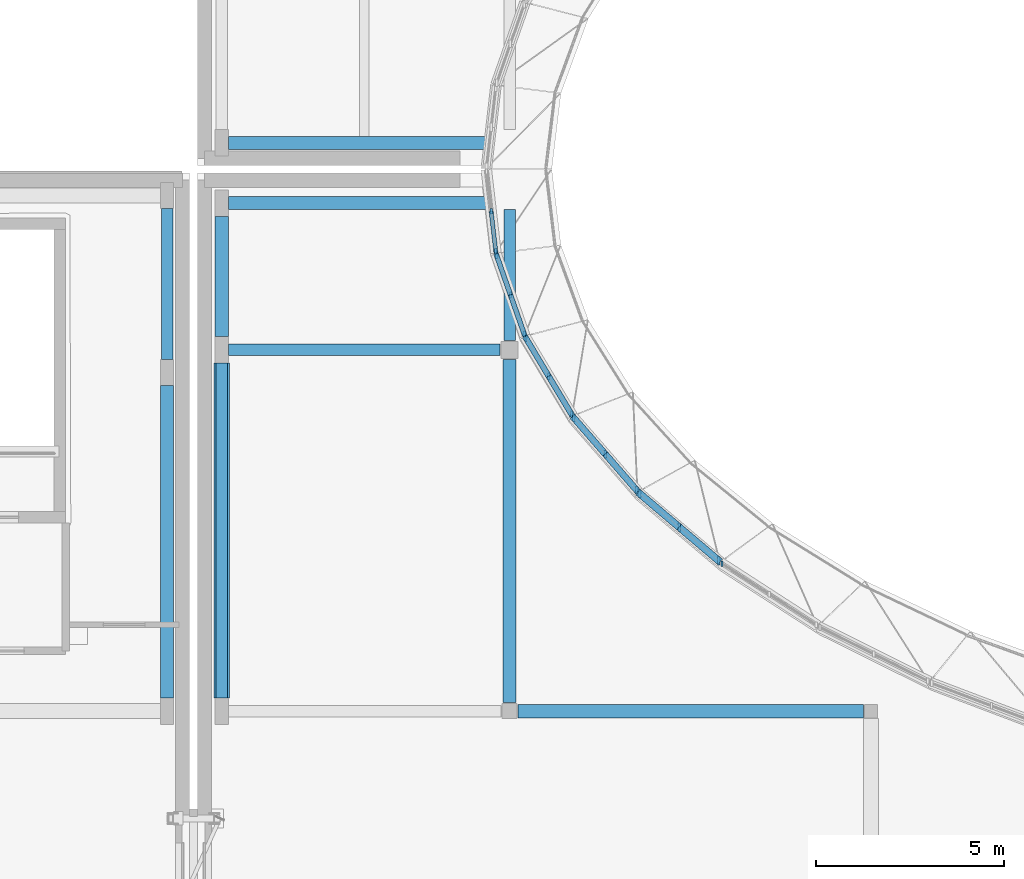
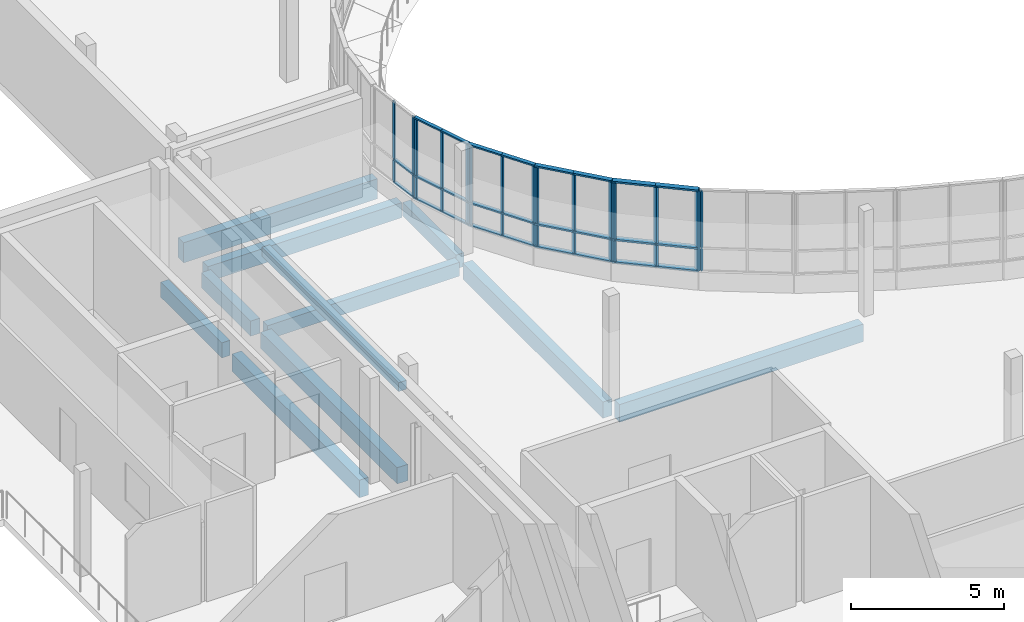
# One storey, part 11 of 73: 41 members, 11 beams, 6 elements without a shape of their own.
"""IFC4 building model written with IfcOpenShell, lengths in metres."""

from ifc_helpers import new_model, si_unit, direction, frame, origin, origin_2d, place, context, subcontext, project, spatial, rectangle, extrude, material, material_profile, profile_set, type_object, element, aggregate, save


model = new_model("IFC4")

# Units and contexts
model_context = context("Model", 3, precision=1e-05, world=origin(), true_north=direction((0.0, 1.0)))
body_context = subcontext(model_context, "Body", "Model", "MODEL_VIEW")
ifc_project = project(units=[si_unit("LENGTHUNIT", "METRE"), si_unit("AREAUNIT", "SQUARE_METRE"), si_unit("VOLUMEUNIT", "CUBIC_METRE"), si_unit("PLANEANGLEUNIT", "RADIAN"), si_unit("MASSUNIT", "GRAM", prefix="KILO")], contexts=[model_context])

# Site, building, storey
site_placement = place(None, origin())
site = spatial("IfcSite", under=ifc_project, at=site_placement, CompositionType="ELEMENT")
building_placement = place(site_placement, origin())
building = spatial("IfcBuilding", under=site, at=building_placement, Name="Mzevani Central Library", CompositionType="ELEMENT")
storey_placement = place(building_placement, frame((0.0, 0.0, 9.60009765625)))
storey = spatial("IfcBuildingStorey", under=building, at=storey_placement, Name="L02", CompositionType="ELEMENT", Elevation=9.60009765625)

# Beams
ifc_material_1 = material(Name="Concrete C35/45", Category="concrete")
ifc_material_profile_1 = material_profile(ifc_material_1, rectangle(XDim=0.300048828125, YDim=0.550048828125, at=origin_2d()), Name="RC B300x550")
ifc_profile_set_1 = profile_set([ifc_material_profile_1], Name="Concrete C35/45")
beam_type_1 = type_object("IfcBeamType", Name="Beam RC 300x550", PredefinedType="BEAM", material=ifc_profile_set_1)
beam_1_placement = place(storey_placement, frame((46.925048828125, 71.199951171875, -0.53515625), z_axis=(1.0, 0.0, 0.0), x_axis=(0.0, 1.0, 0.0)))
element("IfcBeam", 1, at=beam_1_placement, inside=storey, type_object=beam_type_1, Name="L02 V1 Girder B-02 (105)", PredefinedType="BEAM", context=body_context, shape_type="SweptSolid", body=[
    extrude(rectangle(XDim=0.300048828125, YDim=0.550048828125, at=origin_2d()), origin(), (0.0, 0.0, 1.0), 7.224853515625),
])
beam_2_placement = place(storey_placement, frame((54.39990234375, 71.449951171875, -0.53515625), z_axis=(0.0, 1.0, 0.0), x_axis=(-1.0, 0.0, 0.0)))
element("IfcBeam", 2, at=beam_2_placement, inside=storey, type_object=beam_type_1, Name="L02 V1 Frame Beam B-02 (117)", PredefinedType="BEAM", context=body_context, shape_type="SweptSolid", body=[
    extrude(rectangle(XDim=0.300048828125, YDim=0.550048828125, at=origin_2d()), origin(), (0.0, 0.0, 1.0), 3.47509765625),
])
ifc_material_profile_2 = material_profile(ifc_material_1, rectangle(XDim=0.300048828125, YDim=0.60009765625, at=origin_2d()), Name="RC B300x600")
ifc_profile_set_2 = profile_set([ifc_material_profile_2], Name="Concrete C35/45")
beam_type_2 = type_object("IfcBeamType", Name="Beam RC 300x600", PredefinedType="BEAM", material=ifc_profile_set_2)
beam_3_placement = place(storey_placement, frame((45.300048828125, 70.949951171875, -0.56005859375), z_axis=(0.0, 1.0, 0.0), x_axis=(-1.0, 0.0, 0.0)))
element("IfcBeam", 3, at=beam_3_placement, inside=storey, type_object=beam_type_2, Name="L02 V5 Frame Beam B-03 (1014)", PredefinedType="BEAM", context=body_context, shape_type="SweptSolid", body=[
    extrude(rectangle(XDim=0.300048828125, YDim=0.60009765625, at=origin_2d()), origin(), (0.0, 0.0, 1.0), 4.0),
])
ifc_material_profile_3 = material_profile(ifc_material_1, rectangle(XDim=0.35009765625, YDim=0.60009765625, at=origin_2d()), Name="RC B350x600")
ifc_profile_set_3 = profile_set([ifc_material_profile_3], Name="Concrete C35/45")
beam_type_3 = type_object("IfcBeamType", Name="Beam RC 350x600", PredefinedType="BEAM", material=ifc_profile_set_3)
beam_4_placement = place(storey_placement, frame((46.925048828125, 75.10009765625, -0.56005859375), z_axis=(1.0, 0.0, 0.0), x_axis=(0.0, 1.0, 0.0)))
element("IfcBeam", 4, at=beam_4_placement, inside=storey, type_object=beam_type_3, Name="L02 V1 Girder B-04 (107)", PredefinedType="BEAM", context=body_context, shape_type="SweptSolid", body=[
    extrude(rectangle(XDim=0.35009765625, YDim=0.60009765625, at=origin_2d()), origin(), (0.0, 0.0, 1.0), 7.300048828125),
])
beam_5_placement = place(storey_placement, frame((46.75, 71.550048828125, -0.56005859375), z_axis=(0.0, 1.0, 0.0), x_axis=(-1.0, 0.0, 0.0)))
element("IfcBeam", 5, at=beam_5_placement, inside=storey, type_object=beam_type_3, Name="L02 V1 Frame Beam B-04 (115)", PredefinedType="BEAM", context=body_context, shape_type="SweptSolid", body=[
    extrude(rectangle(XDim=0.35009765625, YDim=0.60009765625, at=origin_2d()), origin(), (0.0, 0.0, 1.0), 3.199951171875),
])
ifc_material_profile_4 = material_profile(ifc_material_1, rectangle(XDim=0.35009765625, YDim=0.64990234375, at=origin_2d()), Name="RC B350x650")
ifc_profile_set_4 = profile_set([ifc_material_profile_4], Name="Concrete C35/45")
beam_type_4 = type_object("IfcBeamType", Name="Beam RC 350x650", PredefinedType="BEAM", material=ifc_profile_set_4)
beam_6_placement = place(storey_placement, frame((54.39990234375, 61.824951171875, -0.585205078125), z_axis=(0.0, 1.0, 0.0), x_axis=(-1.0, 0.0, 0.0)))
element("IfcBeam", 6, at=beam_6_placement, inside=storey, type_object=beam_type_4, Name="L02 V1 Frame Beam B-05 (116)", PredefinedType="BEAM", context=body_context, shape_type="SweptSolid", body=[
    extrude(rectangle(XDim=0.35009765625, YDim=0.64990234375, at=origin_2d()), origin(), (0.0, 0.0, 1.0), 9.125),
])
ifc_material_profile_5 = material_profile(ifc_material_1, rectangle(XDim=0.35009765625, YDim=0.699951171875, at=origin_2d()), Name="RC B350x700")
ifc_profile_set_5 = profile_set([ifc_material_profile_5], Name="Concrete C35/45")
beam_type_5 = type_object("IfcBeamType", Name="Beam RC 350x700", PredefinedType="BEAM", material=ifc_profile_set_5)
beam_7_placement = place(storey_placement, frame((54.625, 61.60009765625, -0.610107421875), z_axis=(1.0, 0.0, 0.0), x_axis=(0.0, 1.0, 0.0)))
element("IfcBeam", 7, at=beam_7_placement, inside=storey, type_object=beam_type_5, Name="L02 V1 Girder B-06 (101)", PredefinedType="BEAM", context=body_context, shape_type="SweptSolid", body=[
    extrude(rectangle(XDim=0.35009765625, YDim=0.699951171875, at=origin_2d()), origin(), (0.0, 0.0, 1.0), 9.175048828125),
])
beam_8_placement = place(storey_placement, frame((45.300048828125, 61.949951171875, -0.610107421875), z_axis=(0.0, 1.0, 0.0), x_axis=(-1.0, 0.0, 0.0)))
element("IfcBeam", 8, at=beam_8_placement, inside=storey, type_object=beam_type_5, Name="L02 V5 Frame Beam B-06 (1013)", PredefinedType="BEAM", context=body_context, shape_type="SweptSolid", body=[
    extrude(rectangle(XDim=0.35009765625, YDim=0.699951171875, at=origin_2d()), origin(), (0.0, 0.0, 1.0), 8.300048828125),
])
ifc_material_profile_6 = material_profile(ifc_material_1, rectangle(XDim=0.39990234375, YDim=0.64990234375, at=origin_2d()), Name="RC B400x650")
ifc_profile_set_6 = profile_set([ifc_material_profile_6], Name="Concrete C35/45")
beam_type_6 = type_object("IfcBeamType", Name="Beam RC 400x650", PredefinedType="BEAM", material=ifc_profile_set_6)
beam_9_placement = place(storey_placement, frame((46.75, 61.949951171875, -0.585205078125), z_axis=(0.0, 1.0, 0.0), x_axis=(-1.0, 0.0, 0.0)))
element("IfcBeam", 9, at=beam_9_placement, inside=storey, type_object=beam_type_6, Name="L02 V1 Frame Beam B-07 (114)", PredefinedType="BEAM", context=body_context, shape_type="SweptSolid", body=[
    extrude(rectangle(XDim=0.39990234375, YDim=0.64990234375, at=origin_2d()), origin(), (0.0, 0.0, 1.0), 8.900146484375),
])

# Curtain wall, members
ifc_material_2 = material(Name="Thermally broken aluminium and Low-E triple glazing", Category="aluminium")
curtain_wall_type_1 = type_object("IfcCurtainWallType", Name="Reading Hall Northlight Curtain Wall", PredefinedType="NOTDEFINED", material=ifc_material_2)
curtain_wall_1_placement = place(storey_placement, origin())
curtain_wall_1 = element("IfcCurtainWall", 10, at=curtain_wall_1_placement, inside=storey, type_object=curtain_wall_type_1, Name="L02 Elliptical Court Curtain Wall 25", PredefinedType="NOTDEFINED")
ifc_material_3 = material(Name="Thermally broken aluminium AW-6060", Category="aluminium")
ifc_material_profile_7 = material_profile(ifc_material_3, rectangle(XDim=0.06005859375, YDim=0.139892578125, at=origin_2d()), Name="ALU M60x140")
ifc_profile_set_7 = profile_set([ifc_material_profile_7], Name="Thermally broken aluminium AW-6060")
member_type_1 = type_object("IfcMemberType", Name="CW Mullion 60x140", PredefinedType="MULLION", material=ifc_profile_set_7)
member_1_placement = place(storey_placement, frame((53.908447265625, 74.881591796875, 0.719970703125), z_axis=(0.0, 0.0, 1.0), x_axis=(1.0, 0.0, 0.0)))
member_1 = element("IfcMember", 11, at=member_1_placement, type_object=member_type_1, Name="L02 Elliptical Court Curtain Wall 25 Mullion 2", PredefinedType="MULLION", context=body_context, shape_type="SweptSolid", body=[
    extrude(rectangle(XDim=0.06005859375, YDim=0.139892578125, at=origin_2d()), origin(), (0.0, 0.0, 1.0), 3.199951171875),
])
member_2_placement = place(storey_placement, frame((54.031005859375, 73.821044921875, 0.719970703125), z_axis=(0.0, 0.0, 1.0), x_axis=(1.0, 0.0, 0.0)))
member_2 = element("IfcMember", 12, at=member_2_placement, type_object=member_type_1, Name="L02 Elliptical Court Curtain Wall 25 Mullion 3", PredefinedType="MULLION", context=body_context, shape_type="SweptSolid", body=[
    extrude(rectangle(XDim=0.06005859375, YDim=0.139892578125, at=origin_2d()), origin(), (0.0, 0.0, 1.0), 3.199951171875),
])

# Curtain wall, member
curtain_wall_type_2 = type_object("IfcCurtainWallType", Name="Elliptical Court Unitised Curtain Wall", PredefinedType="NOTDEFINED", material=ifc_material_2)
curtain_wall_2_placement = place(storey_placement, origin())
curtain_wall_2 = element("IfcCurtainWall", 13, at=curtain_wall_2_placement, inside=storey, type_object=curtain_wall_type_2, Name="L02 Elliptical Court Curtain Wall 30", PredefinedType="NOTDEFINED")
member_3_placement = place(storey_placement, frame((60.04443359375, 65.5185546875, 0.719970703125), z_axis=(0.0, 0.0, 1.0), x_axis=(1.0, 0.0, 0.0)))
member_3 = element("IfcMember", 14, at=member_3_placement, type_object=member_type_1, Name="L02 Elliptical Court Curtain Wall 30 Mullion 1", PredefinedType="MULLION", context=body_context, shape_type="SweptSolid", body=[
    extrude(rectangle(XDim=0.06005859375, YDim=0.139892578125, at=origin_2d()), origin(), (0.0, 0.0, 1.0), 3.199951171875),
])
aggregate(curtain_wall_2, [member_3])

# Curtain wall, members
curtain_wall_3_placement = place(storey_placement, origin())
curtain_wall_3 = element("IfcCurtainWall", 15, at=curtain_wall_3_placement, inside=storey, type_object=curtain_wall_type_2, Name="L02 Elliptical Court Curtain Wall 26", PredefinedType="NOTDEFINED")
ifc_material_profile_8 = material_profile(ifc_material_3, rectangle(XDim=0.06005859375, YDim=0.159912109375, at=origin_2d()), Name="ALU M60x160")
ifc_profile_set_8 = profile_set([ifc_material_profile_8], Name="Thermally broken aluminium AW-6060")
member_type_2 = type_object("IfcMemberType", Name="CW Mullion 60x160", PredefinedType="MULLION", material=ifc_profile_set_8)
member_4_placement = place(storey_placement, frame((54.054443359375, 73.70751953125, 0.719970703125), z_axis=(0.0, 0.0, 1.0), x_axis=(1.0, 0.0, 0.0)))
member_4 = element("IfcMember", 16, at=member_4_placement, type_object=member_type_2, Name="L02 Elliptical Court Curtain Wall 26 Mullion 1", PredefinedType="MULLION", context=body_context, shape_type="SweptSolid", body=[
    extrude(rectangle(XDim=0.06005859375, YDim=0.159912109375, at=origin_2d()), origin(), (0.0, 0.0, 1.0), 3.199951171875),
])
member_5_placement = place(storey_placement, frame((54.4208984375, 72.66357421875, 0.719970703125), z_axis=(0.0, 0.0, 1.0), x_axis=(1.0, 0.0, 0.0)))
member_5 = element("IfcMember", 17, at=member_5_placement, type_object=member_type_2, Name="L02 Elliptical Court Curtain Wall 26 Mullion 2", PredefinedType="MULLION", context=body_context, shape_type="SweptSolid", body=[
    extrude(rectangle(XDim=0.06005859375, YDim=0.159912109375, at=origin_2d()), origin(), (0.0, 0.0, 1.0), 3.199951171875),
])
member_6_placement = place(storey_placement, frame((54.787109375, 71.619384765625, 0.719970703125), z_axis=(0.0, 0.0, 1.0), x_axis=(1.0, 0.0, 0.0)))
member_6 = element("IfcMember", 18, at=member_6_placement, type_object=member_type_2, Name="L02 Elliptical Court Curtain Wall 26 Mullion 3", PredefinedType="MULLION", context=body_context, shape_type="SweptSolid", body=[
    extrude(rectangle(XDim=0.06005859375, YDim=0.159912109375, at=origin_2d()), origin(), (0.0, 0.0, 1.0), 3.199951171875),
])

curtain_wall_4_placement = place(storey_placement, origin())
curtain_wall_4 = element("IfcCurtainWall", 19, at=curtain_wall_4_placement, inside=storey, type_object=curtain_wall_type_2, Name="L02 Elliptical Court Curtain Wall 27", PredefinedType="NOTDEFINED")
ifc_material_profile_9 = material_profile(ifc_material_3, rectangle(XDim=0.06005859375, YDim=0.179931640625, at=origin_2d()), Name="ALU M60x180")
ifc_profile_set_9 = profile_set([ifc_material_profile_9], Name="Thermally broken aluminium AW-6060")
member_type_3 = type_object("IfcMemberType", Name="CW Mullion 60x180", PredefinedType="MULLION", material=ifc_profile_set_9)
member_7_placement = place(storey_placement, frame((54.831787109375, 71.512451171875, 0.719970703125), z_axis=(0.0, 0.0, 1.0), x_axis=(1.0, 0.0, 0.0)))
member_7 = element("IfcMember", 20, at=member_7_placement, type_object=member_type_3, Name="L02 Elliptical Court Curtain Wall 27 Mullion 1", PredefinedType="MULLION", context=body_context, shape_type="SweptSolid", body=[
    extrude(rectangle(XDim=0.06005859375, YDim=0.179931640625, at=origin_2d()), origin(), (0.0, 0.0, 1.0), 3.199951171875),
])
member_8_placement = place(storey_placement, frame((55.43701171875, 70.501708984375, 0.719970703125), z_axis=(0.0, 0.0, 1.0), x_axis=(1.0, 0.0, 0.0)))
member_8 = element("IfcMember", 21, at=member_8_placement, type_object=member_type_3, Name="L02 Elliptical Court Curtain Wall 27 Mullion 2", PredefinedType="MULLION", context=body_context, shape_type="SweptSolid", body=[
    extrude(rectangle(XDim=0.06005859375, YDim=0.179931640625, at=origin_2d()), origin(), (0.0, 0.0, 1.0), 3.199951171875),
])
member_9_placement = place(storey_placement, frame((56.0419921875, 69.490966796875, 0.719970703125), z_axis=(0.0, 0.0, 1.0), x_axis=(1.0, 0.0, 0.0)))
member_9 = element("IfcMember", 22, at=member_9_placement, type_object=member_type_3, Name="L02 Elliptical Court Curtain Wall 27 Mullion 3", PredefinedType="MULLION", context=body_context, shape_type="SweptSolid", body=[
    extrude(rectangle(XDim=0.06005859375, YDim=0.179931640625, at=origin_2d()), origin(), (0.0, 0.0, 1.0), 3.199951171875),
])

curtain_wall_5_placement = place(storey_placement, origin())
curtain_wall_5 = element("IfcCurtainWall", 23, at=curtain_wall_5_placement, inside=storey, type_object=curtain_wall_type_1, Name="L02 Elliptical Court Curtain Wall 28", PredefinedType="NOTDEFINED")
ifc_material_profile_10 = material_profile(ifc_material_3, rectangle(XDim=0.06494140625, YDim=0.199951171875, at=origin_2d()), Name="ALU M65x200")
ifc_profile_set_10 = profile_set([ifc_material_profile_10], Name="Thermally broken aluminium AW-6060")
member_type_4 = type_object("IfcMemberType", Name="CW Mullion 65x200", PredefinedType="MULLION", material=ifc_profile_set_10)
member_10_placement = place(storey_placement, frame((56.1044921875, 69.392578125, 0.719970703125), z_axis=(0.0, 0.0, 1.0), x_axis=(1.0, 0.0, 0.0)))
member_10 = element("IfcMember", 24, at=member_10_placement, type_object=member_type_4, Name="L02 Elliptical Court Curtain Wall 28 Mullion 1", PredefinedType="MULLION", context=body_context, shape_type="SweptSolid", body=[
    extrude(rectangle(XDim=0.06494140625, YDim=0.199951171875, at=origin_2d()), origin(), (0.0, 0.0, 1.0), 3.199951171875),
])
member_11_placement = place(storey_placement, frame((56.939453125, 68.4326171875, 0.719970703125), z_axis=(0.0, 0.0, 1.0), x_axis=(1.0, 0.0, 0.0)))
member_11 = element("IfcMember", 25, at=member_11_placement, type_object=member_type_4, Name="L02 Elliptical Court Curtain Wall 28 Mullion 2", PredefinedType="MULLION", context=body_context, shape_type="SweptSolid", body=[
    extrude(rectangle(XDim=0.06494140625, YDim=0.199951171875, at=origin_2d()), origin(), (0.0, 0.0, 1.0), 3.199951171875),
])
member_12_placement = place(storey_placement, frame((57.774658203125, 67.472412109375, 0.719970703125), z_axis=(0.0, 0.0, 1.0), x_axis=(1.0, 0.0, 0.0)))
member_12 = element("IfcMember", 26, at=member_12_placement, type_object=member_type_4, Name="L02 Elliptical Court Curtain Wall 28 Mullion 3", PredefinedType="MULLION", context=body_context, shape_type="SweptSolid", body=[
    extrude(rectangle(XDim=0.06494140625, YDim=0.199951171875, at=origin_2d()), origin(), (0.0, 0.0, 1.0), 3.199951171875),
])

curtain_wall_6_placement = place(storey_placement, origin())
curtain_wall_6 = element("IfcCurtainWall", 27, at=curtain_wall_6_placement, inside=storey, type_object=curtain_wall_type_2, Name="L02 Elliptical Court Curtain Wall 29", PredefinedType="NOTDEFINED")
ifc_material_profile_11 = material_profile(ifc_material_3, rectangle(XDim=0.070068359375, YDim=0.219970703125, at=origin_2d()), Name="ALU M70x220")
ifc_profile_set_11 = profile_set([ifc_material_profile_11], Name="Thermally broken aluminium AW-6060")
member_type_5 = type_object("IfcMemberType", Name="CW Mullion 70x220", PredefinedType="MULLION", material=ifc_profile_set_11)
member_13_placement = place(storey_placement, frame((57.8515625, 67.383544921875, 0.719970703125), z_axis=(0.0, 0.0, 1.0), x_axis=(1.0, 0.0, 0.0)))
member_13 = element("IfcMember", 28, at=member_13_placement, type_object=member_type_5, Name="L02 Elliptical Court Curtain Wall 29 Mullion 1", PredefinedType="MULLION", context=body_context, shape_type="SweptSolid", body=[
    extrude(rectangle(XDim=0.070068359375, YDim=0.219970703125, at=origin_2d()), origin(), (0.0, 0.0, 1.0), 3.199951171875),
])
member_14_placement = place(storey_placement, frame((58.903564453125, 66.49072265625, 0.719970703125), z_axis=(0.0, 0.0, 1.0), x_axis=(1.0, 0.0, 0.0)))
member_14 = element("IfcMember", 29, at=member_14_placement, type_object=member_type_5, Name="L02 Elliptical Court Curtain Wall 29 Mullion 2", PredefinedType="MULLION", context=body_context, shape_type="SweptSolid", body=[
    extrude(rectangle(XDim=0.070068359375, YDim=0.219970703125, at=origin_2d()), origin(), (0.0, 0.0, 1.0), 3.199951171875),
])
member_15_placement = place(storey_placement, frame((59.95556640625, 65.597900390625, 0.719970703125), z_axis=(0.0, 0.0, 1.0), x_axis=(1.0, 0.0, 0.0)))
member_15 = element("IfcMember", 30, at=member_15_placement, type_object=member_type_5, Name="L02 Elliptical Court Curtain Wall 29 Mullion 3", PredefinedType="MULLION", context=body_context, shape_type="SweptSolid", body=[
    extrude(rectangle(XDim=0.070068359375, YDim=0.219970703125, at=origin_2d()), origin(), (0.0, 0.0, 1.0), 3.199951171875),
])

# Member
ifc_material_profile_12 = material_profile(ifc_material_3, rectangle(XDim=0.110107421875, YDim=0.06005859375, at=origin_2d()), Name="ALU T60x110")
ifc_profile_set_12 = profile_set([ifc_material_profile_12], Name="Thermally broken aluminium AW-6060")
member_type_6 = type_object("IfcMemberType", Name="CW Transom 60x110", PredefinedType="USERDEFINED", material=ifc_profile_set_12)
member_16_placement = place(storey_placement, frame((53.908447265625, 74.881591796875, 0.719970703125), z_axis=(0.114889397614, -0.993378289634, 0.0), x_axis=(0.993378289634, 0.114889397614, 0.0)))
member_16 = element("IfcMember", 31, at=member_16_placement, type_object=member_type_6, Name="L02 Elliptical Court Curtain Wall 25 Transom 4", ObjectType="TRANSOM", PredefinedType="USERDEFINED", context=body_context, shape_type="SweptSolid", body=[
    extrude(rectangle(XDim=0.110107421875, YDim=0.06005859375, at=origin_2d()), origin(), (0.0, 0.0, 1.0), 1.11767578125),
])

member_17_placement = place(storey_placement, frame((53.908447265625, 74.881591796875, 1.619873046875), z_axis=(0.114889397614, -0.993378289634, 0.0), x_axis=(0.993378289634, 0.114889397614, 0.0)))
member_17 = element("IfcMember", 32, at=member_17_placement, type_object=member_type_6, Name="L02 Elliptical Court Curtain Wall 25 Transom 5", ObjectType="TRANSOM", PredefinedType="USERDEFINED", context=body_context, shape_type="SweptSolid", body=[
    extrude(rectangle(XDim=0.110107421875, YDim=0.06005859375, at=origin_2d()), origin(), (0.0, 0.0, 1.0), 1.11767578125),
])

aggregate(curtain_wall_1, [member_1, member_2, member_16, member_17])

ifc_material_profile_13 = material_profile(ifc_material_3, rectangle(XDim=0.1298828125, YDim=0.06005859375, at=origin_2d()), Name="ALU T60x130")
ifc_profile_set_13 = profile_set([ifc_material_profile_13], Name="Thermally broken aluminium AW-6060")
member_type_7 = type_object("IfcMemberType", Name="CW Transom 60x130", PredefinedType="USERDEFINED", material=ifc_profile_set_13)
member_18_placement = place(storey_placement, frame((54.0380859375, 73.7548828125, 0.719970703125), z_axis=(0.331008570157, -0.943627747834, 0.0), x_axis=(0.943627747834, 0.331008570157, 0.0)))
member_18 = element("IfcMember", 33, at=member_18_placement, type_object=member_type_7, Name="L02 Elliptical Court Curtain Wall 26 Transom 1", ObjectType="TRANSOM", PredefinedType="USERDEFINED", context=body_context, shape_type="SweptSolid", body=[
    extrude(rectangle(XDim=0.1298828125, YDim=0.06005859375, at=origin_2d()), origin(), (0.0, 0.0, 1.0), 1.156494140625),
])

member_19_placement = place(storey_placement, frame((54.0380859375, 73.7548828125, 1.619873046875), z_axis=(0.331008570157, -0.943627747834, 0.0), x_axis=(0.943627747834, 0.331008570157, 0.0)))
member_19 = element("IfcMember", 34, at=member_19_placement, type_object=member_type_7, Name="L02 Elliptical Court Curtain Wall 26 Transom 2", ObjectType="TRANSOM", PredefinedType="USERDEFINED", context=body_context, shape_type="SweptSolid", body=[
    extrude(rectangle(XDim=0.1298828125, YDim=0.06005859375, at=origin_2d()), origin(), (0.0, 0.0, 1.0), 1.156494140625),
])

member_20_placement = place(storey_placement, frame((54.0380859375, 73.7548828125, 3.919921875), z_axis=(0.331008570157, -0.943627747834, 0.0), x_axis=(0.943627747834, 0.331008570157, 0.0)))
member_20 = element("IfcMember", 35, at=member_20_placement, type_object=member_type_7, Name="L02 Elliptical Court Curtain Wall 26 Transom 3", ObjectType="TRANSOM", PredefinedType="USERDEFINED", context=body_context, shape_type="SweptSolid", body=[
    extrude(rectangle(XDim=0.1298828125, YDim=0.06005859375, at=origin_2d()), origin(), (0.0, 0.0, 1.0), 1.156494140625),
])

member_21_placement = place(storey_placement, frame((54.4208984375, 72.66357421875, 0.719970703125), z_axis=(0.331008570157, -0.943627747834, 0.0), x_axis=(0.943627747834, 0.331008570157, 0.0)))
member_21 = element("IfcMember", 36, at=member_21_placement, type_object=member_type_7, Name="L02 Elliptical Court Curtain Wall 26 Transom 4", ObjectType="TRANSOM", PredefinedType="USERDEFINED", context=body_context, shape_type="SweptSolid", body=[
    extrude(rectangle(XDim=0.1298828125, YDim=0.06005859375, at=origin_2d()), origin(), (0.0, 0.0, 1.0), 1.156494140625),
])

member_22_placement = place(storey_placement, frame((54.4208984375, 72.66357421875, 1.619873046875), z_axis=(0.331008570157, -0.943627747834, 0.0), x_axis=(0.943627747834, 0.331008570157, 0.0)))
member_22 = element("IfcMember", 37, at=member_22_placement, type_object=member_type_7, Name="L02 Elliptical Court Curtain Wall 26 Transom 5", ObjectType="TRANSOM", PredefinedType="USERDEFINED", context=body_context, shape_type="SweptSolid", body=[
    extrude(rectangle(XDim=0.1298828125, YDim=0.06005859375, at=origin_2d()), origin(), (0.0, 0.0, 1.0), 1.156494140625),
])

member_23_placement = place(storey_placement, frame((54.4208984375, 72.66357421875, 3.919921875), z_axis=(0.331008570157, -0.943627747834, 0.0), x_axis=(0.943627747834, 0.331008570157, 0.0)))
member_23 = element("IfcMember", 38, at=member_23_placement, type_object=member_type_7, Name="L02 Elliptical Court Curtain Wall 26 Transom 6", ObjectType="TRANSOM", PredefinedType="USERDEFINED", context=body_context, shape_type="SweptSolid", body=[
    extrude(rectangle(XDim=0.1298828125, YDim=0.06005859375, at=origin_2d()), origin(), (0.0, 0.0, 1.0), 1.156494140625),
])

aggregate(curtain_wall_3, [member_4, member_5, member_6, member_18, member_19, member_20, member_21, member_22, member_23])

ifc_material_profile_14 = material_profile(ifc_material_3, rectangle(XDim=0.14990234375, YDim=0.06005859375, at=origin_2d()), Name="ALU T60x150")
ifc_profile_set_14 = profile_set([ifc_material_profile_14], Name="Thermally broken aluminium AW-6060")
member_type_8 = type_object("IfcMemberType", Name="CW Transom 60x150", PredefinedType="USERDEFINED", material=ifc_profile_set_14)
member_24_placement = place(storey_placement, frame((54.80615234375, 71.555419921875, 0.719970703125), z_axis=(0.513676968205, -0.857983666707, 0.0), x_axis=(0.857983666707, 0.513676968205, 0.0)))
member_24 = element("IfcMember", 39, at=member_24_placement, type_object=member_type_8, Name="L02 Elliptical Court Curtain Wall 27 Transom 1", ObjectType="TRANSOM", PredefinedType="USERDEFINED", context=body_context, shape_type="SweptSolid", body=[
    extrude(rectangle(XDim=0.14990234375, YDim=0.06005859375, at=origin_2d()), origin(), (0.0, 0.0, 1.0), 1.22802734375),
])

member_25_placement = place(storey_placement, frame((54.80615234375, 71.555419921875, 1.619873046875), z_axis=(0.513676968205, -0.857983666707, 0.0), x_axis=(0.857983666707, 0.513676968205, 0.0)))
member_25 = element("IfcMember", 40, at=member_25_placement, type_object=member_type_8, Name="L02 Elliptical Court Curtain Wall 27 Transom 2", ObjectType="TRANSOM", PredefinedType="USERDEFINED", context=body_context, shape_type="SweptSolid", body=[
    extrude(rectangle(XDim=0.14990234375, YDim=0.06005859375, at=origin_2d()), origin(), (0.0, 0.0, 1.0), 1.22802734375),
])

member_26_placement = place(storey_placement, frame((54.80615234375, 71.555419921875, 3.919921875), z_axis=(0.513676968205, -0.857983666707, 0.0), x_axis=(0.857983666707, 0.513676968205, 0.0)))
member_26 = element("IfcMember", 41, at=member_26_placement, type_object=member_type_8, Name="L02 Elliptical Court Curtain Wall 27 Transom 3", ObjectType="TRANSOM", PredefinedType="USERDEFINED", context=body_context, shape_type="SweptSolid", body=[
    extrude(rectangle(XDim=0.14990234375, YDim=0.06005859375, at=origin_2d()), origin(), (0.0, 0.0, 1.0), 1.22802734375),
])

member_27_placement = place(storey_placement, frame((55.43701171875, 70.501708984375, 0.719970703125), z_axis=(0.513530608291, -0.858071275797, 0.0), x_axis=(0.858071275797, 0.513530608291, 0.0)))
member_27 = element("IfcMember", 42, at=member_27_placement, type_object=member_type_8, Name="L02 Elliptical Court Curtain Wall 27 Transom 4", ObjectType="TRANSOM", PredefinedType="USERDEFINED", context=body_context, shape_type="SweptSolid", body=[
    extrude(rectangle(XDim=0.14990234375, YDim=0.06005859375, at=origin_2d()), origin(), (0.0, 0.0, 1.0), 1.22802734375),
])

member_28_placement = place(storey_placement, frame((55.43701171875, 70.501708984375, 1.619873046875), z_axis=(0.513530608291, -0.858071275797, 0.0), x_axis=(0.858071275797, 0.513530608291, 0.0)))
member_28 = element("IfcMember", 43, at=member_28_placement, type_object=member_type_8, Name="L02 Elliptical Court Curtain Wall 27 Transom 5", ObjectType="TRANSOM", PredefinedType="USERDEFINED", context=body_context, shape_type="SweptSolid", body=[
    extrude(rectangle(XDim=0.14990234375, YDim=0.06005859375, at=origin_2d()), origin(), (0.0, 0.0, 1.0), 1.22802734375),
])

member_29_placement = place(storey_placement, frame((55.43701171875, 70.501708984375, 3.919921875), z_axis=(0.513530608291, -0.858071275797, 0.0), x_axis=(0.858071275797, 0.513530608291, 0.0)))
member_29 = element("IfcMember", 44, at=member_29_placement, type_object=member_type_8, Name="L02 Elliptical Court Curtain Wall 27 Transom 6", ObjectType="TRANSOM", PredefinedType="USERDEFINED", context=body_context, shape_type="SweptSolid", body=[
    extrude(rectangle(XDim=0.14990234375, YDim=0.06005859375, at=origin_2d()), origin(), (0.0, 0.0, 1.0), 1.22802734375),
])

aggregate(curtain_wall_4, [member_7, member_8, member_9, member_24, member_25, member_26, member_27, member_28, member_29])

ifc_material_profile_15 = material_profile(ifc_material_3, rectangle(XDim=0.169921875, YDim=0.06494140625, at=origin_2d()), Name="ALU T65x170")
ifc_profile_set_15 = profile_set([ifc_material_profile_15], Name="Thermally broken aluminium AW-6060")
member_type_9 = type_object("IfcMemberType", Name="CW Transom 65x170", PredefinedType="USERDEFINED", material=ifc_profile_set_15)
member_30_placement = place(storey_placement, frame((56.07177734375, 69.430419921875, 0.719970703125), z_axis=(0.656187857122, -0.754597572329, 0.0), x_axis=(0.754597572329, 0.656187857122, 0.0)))
member_30 = element("IfcMember", 45, at=member_30_placement, type_object=member_type_9, Name="L02 Elliptical Court Curtain Wall 28 Transom 1", ObjectType="TRANSOM", PredefinedType="USERDEFINED", context=body_context, shape_type="SweptSolid", body=[
    extrude(rectangle(XDim=0.169921875, YDim=0.06494140625, at=origin_2d()), origin(), (0.0, 0.0, 1.0), 1.322265625),
])

member_31_placement = place(storey_placement, frame((56.07177734375, 69.430419921875, 1.619873046875), z_axis=(0.656187857122, -0.754597572329, 0.0), x_axis=(0.754597572329, 0.656187857122, 0.0)))
member_31 = element("IfcMember", 46, at=member_31_placement, type_object=member_type_9, Name="L02 Elliptical Court Curtain Wall 28 Transom 2", ObjectType="TRANSOM", PredefinedType="USERDEFINED", context=body_context, shape_type="SweptSolid", body=[
    extrude(rectangle(XDim=0.169921875, YDim=0.06494140625, at=origin_2d()), origin(), (0.0, 0.0, 1.0), 1.322265625),
])

member_32_placement = place(storey_placement, frame((56.07177734375, 69.430419921875, 3.919921875), z_axis=(0.656187857122, -0.754597572329, 0.0), x_axis=(0.754597572329, 0.656187857122, 0.0)))
member_32 = element("IfcMember", 47, at=member_32_placement, type_object=member_type_9, Name="L02 Elliptical Court Curtain Wall 28 Transom 3", ObjectType="TRANSOM", PredefinedType="USERDEFINED", context=body_context, shape_type="SweptSolid", body=[
    extrude(rectangle(XDim=0.169921875, YDim=0.06494140625, at=origin_2d()), origin(), (0.0, 0.0, 1.0), 1.322265625),
])

member_33_placement = place(storey_placement, frame((56.939453125, 68.4326171875, 0.719970703125), z_axis=(0.656201564286, -0.754585652546, 0.0), x_axis=(0.754585652546, 0.656201564286, 0.0)))
member_33 = element("IfcMember", 48, at=member_33_placement, type_object=member_type_9, Name="L02 Elliptical Court Curtain Wall 28 Transom 4", ObjectType="TRANSOM", PredefinedType="USERDEFINED", context=body_context, shape_type="SweptSolid", body=[
    extrude(rectangle(XDim=0.169921875, YDim=0.06494140625, at=origin_2d()), origin(), (0.0, 0.0, 1.0), 1.32275390625),
])

member_34_placement = place(storey_placement, frame((56.939453125, 68.4326171875, 1.619873046875), z_axis=(0.656201564286, -0.754585652546, 0.0), x_axis=(0.754585652546, 0.656201564286, 0.0)))
member_34 = element("IfcMember", 49, at=member_34_placement, type_object=member_type_9, Name="L02 Elliptical Court Curtain Wall 28 Transom 5", ObjectType="TRANSOM", PredefinedType="USERDEFINED", context=body_context, shape_type="SweptSolid", body=[
    extrude(rectangle(XDim=0.169921875, YDim=0.06494140625, at=origin_2d()), origin(), (0.0, 0.0, 1.0), 1.32275390625),
])

member_35_placement = place(storey_placement, frame((56.939453125, 68.4326171875, 3.919921875), z_axis=(0.656201564286, -0.754585652546, 0.0), x_axis=(0.754585652546, 0.656201564286, 0.0)))
member_35 = element("IfcMember", 50, at=member_35_placement, type_object=member_type_9, Name="L02 Elliptical Court Curtain Wall 28 Transom 6", ObjectType="TRANSOM", PredefinedType="USERDEFINED", context=body_context, shape_type="SweptSolid", body=[
    extrude(rectangle(XDim=0.169921875, YDim=0.06494140625, at=origin_2d()), origin(), (0.0, 0.0, 1.0), 1.32275390625),
])

aggregate(curtain_wall_5, [member_10, member_11, member_12, member_30, member_31, member_32, member_33, member_34, member_35])

ifc_material_profile_16 = material_profile(ifc_material_3, rectangle(XDim=0.18994140625, YDim=0.070068359375, at=origin_2d()), Name="ALU T70x190")
ifc_profile_set_16 = profile_set([ifc_material_profile_16], Name="Thermally broken aluminium AW-6060")
member_type_10 = type_object("IfcMemberType", Name="CW Transom 70x190", PredefinedType="USERDEFINED", material=ifc_profile_set_16)
member_36_placement = place(storey_placement, frame((57.8134765625, 67.416015625, 0.719970703125), z_axis=(0.762381493954, -0.647127852651, 0.0), x_axis=(0.647127852651, 0.762381493954, 0.0)))
member_36 = element("IfcMember", 51, at=member_36_placement, type_object=member_type_10, Name="L02 Elliptical Court Curtain Wall 29 Transom 1", ObjectType="TRANSOM", PredefinedType="USERDEFINED", context=body_context, shape_type="SweptSolid", body=[
    extrude(rectangle(XDim=0.18994140625, YDim=0.070068359375, at=origin_2d()), origin(), (0.0, 0.0, 1.0), 1.429931640625),
])

member_37_placement = place(storey_placement, frame((57.8134765625, 67.416015625, 1.619873046875), z_axis=(0.762381493954, -0.647127852651, 0.0), x_axis=(0.647127852651, 0.762381493954, 0.0)))
member_37 = element("IfcMember", 52, at=member_37_placement, type_object=member_type_10, Name="L02 Elliptical Court Curtain Wall 29 Transom 2", ObjectType="TRANSOM", PredefinedType="USERDEFINED", context=body_context, shape_type="SweptSolid", body=[
    extrude(rectangle(XDim=0.18994140625, YDim=0.070068359375, at=origin_2d()), origin(), (0.0, 0.0, 1.0), 1.429931640625),
])

member_38_placement = place(storey_placement, frame((57.8134765625, 67.416015625, 3.919921875), z_axis=(0.762381493954, -0.647127852651, 0.0), x_axis=(0.647127852651, 0.762381493954, 0.0)))
member_38 = element("IfcMember", 53, at=member_38_placement, type_object=member_type_10, Name="L02 Elliptical Court Curtain Wall 29 Transom 3", ObjectType="TRANSOM", PredefinedType="USERDEFINED", context=body_context, shape_type="SweptSolid", body=[
    extrude(rectangle(XDim=0.18994140625, YDim=0.070068359375, at=origin_2d()), origin(), (0.0, 0.0, 1.0), 1.429931640625),
])

member_39_placement = place(storey_placement, frame((58.903564453125, 66.49072265625, 0.719970703125), z_axis=(0.762465735824, -0.647028594186, 0.0), x_axis=(0.647028594186, 0.762465735824, 0.0)))
member_39 = element("IfcMember", 54, at=member_39_placement, type_object=member_type_10, Name="L02 Elliptical Court Curtain Wall 29 Transom 4", ObjectType="TRANSOM", PredefinedType="USERDEFINED", context=body_context, shape_type="SweptSolid", body=[
    extrude(rectangle(XDim=0.18994140625, YDim=0.070068359375, at=origin_2d()), origin(), (0.0, 0.0, 1.0), 1.4296875),
])

member_40_placement = place(storey_placement, frame((58.903564453125, 66.49072265625, 1.619873046875), z_axis=(0.762465735824, -0.647028594186, 0.0), x_axis=(0.647028594186, 0.762465735824, 0.0)))
member_40 = element("IfcMember", 55, at=member_40_placement, type_object=member_type_10, Name="L02 Elliptical Court Curtain Wall 29 Transom 5", ObjectType="TRANSOM", PredefinedType="USERDEFINED", context=body_context, shape_type="SweptSolid", body=[
    extrude(rectangle(XDim=0.18994140625, YDim=0.070068359375, at=origin_2d()), origin(), (0.0, 0.0, 1.0), 1.4296875),
])

member_41_placement = place(storey_placement, frame((58.903564453125, 66.49072265625, 3.919921875), z_axis=(0.762465735824, -0.647028594186, 0.0), x_axis=(0.647028594186, 0.762465735824, 0.0)))
member_41 = element("IfcMember", 56, at=member_41_placement, type_object=member_type_10, Name="L02 Elliptical Court Curtain Wall 29 Transom 6", ObjectType="TRANSOM", PredefinedType="USERDEFINED", context=body_context, shape_type="SweptSolid", body=[
    extrude(rectangle(XDim=0.18994140625, YDim=0.070068359375, at=origin_2d()), origin(), (0.0, 0.0, 1.0), 1.4296875),
])

aggregate(curtain_wall_6, [member_13, member_14, member_15, member_36, member_37, member_38, member_39, member_40, member_41])

# Beams
ifc_material_4 = material(Name="Precast concrete C40/50", Category="concrete")
ifc_material_profile_17 = material_profile(ifc_material_4, rectangle(XDim=0.35009765625, YDim=0.800048828125, at=origin_2d()), Name="RC SP350x800")
ifc_profile_set_17 = profile_set([ifc_material_profile_17], Name="Precast concrete C40/50")
beam_type_7 = type_object("IfcBeamType", Name="Colonnade Fascia Beam RC 350x800", PredefinedType="SPANDREL", material=ifc_profile_set_17)
beam_10_placement = place(storey_placement, frame((46.925048828125, 76.699951171875, -0.68017578125), z_axis=(1.0, 0.0, 0.0), x_axis=(0.0, 1.0, 0.0)))
element("IfcBeam", 57, at=beam_10_placement, inside=storey, type_object=beam_type_7, Name="L02 V3 Girder SP-02 (555)", PredefinedType="SPANDREL", context=body_context, shape_type="SweptSolid", body=[
    extrude(rectangle(XDim=0.35009765625, YDim=0.800048828125, at=origin_2d()), origin(), (0.0, 0.0, 1.0), 7.300048828125),
])
ifc_material_profile_18 = material_profile(ifc_material_4, rectangle(XDim=0.300048828125, YDim=0.35009765625, at=origin_2d()), Name="PC LN300x350")
ifc_profile_set_18 = profile_set([ifc_material_profile_18], Name="Precast concrete C40/50")
beam_type_8 = type_object("IfcBeamType", Name="Precast Window Lintel 300x350", PredefinedType="LINTEL", material=ifc_profile_set_18)
beam_11_placement = place(storey_placement, frame((46.75, 61.949951171875, 2.9248046875), z_axis=(0.0, 1.0, 0.0), x_axis=(-1.0, 0.0, 0.0)))
element("IfcBeam", 58, at=beam_11_placement, inside=storey, type_object=beam_type_8, Name="L02 V1 Precast Portal Lintel (22)", PredefinedType="LINTEL", context=body_context, shape_type="SweptSolid", body=[
    extrude(rectangle(XDim=0.300048828125, YDim=0.35009765625, at=origin_2d()), origin(), (0.0, 0.0, 1.0), 8.900146484375),
])

save(model, "model.ifc")
